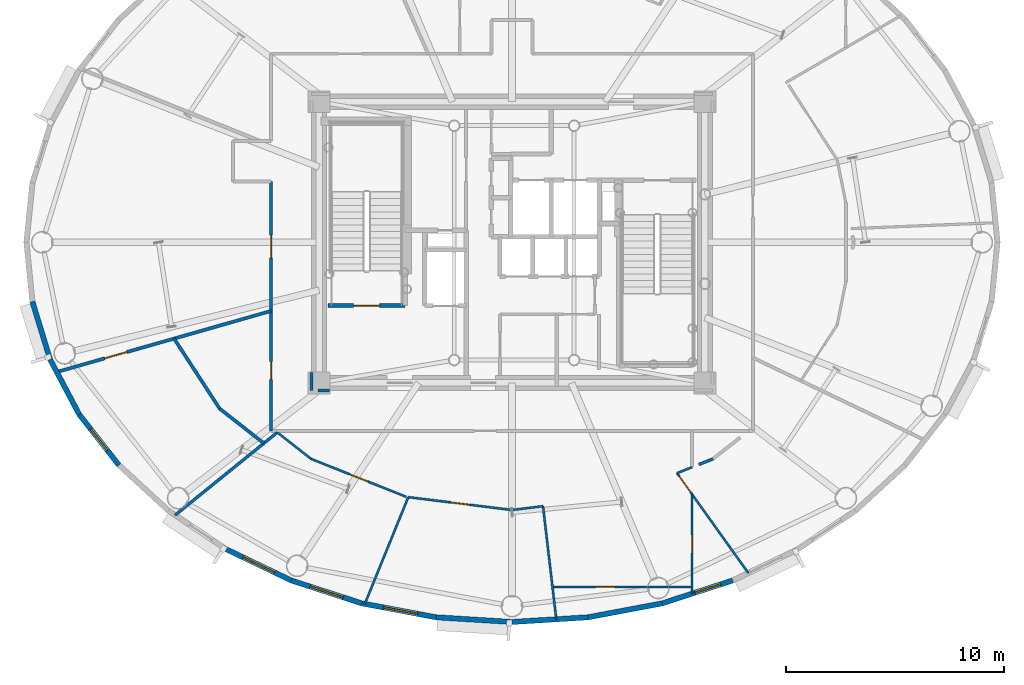
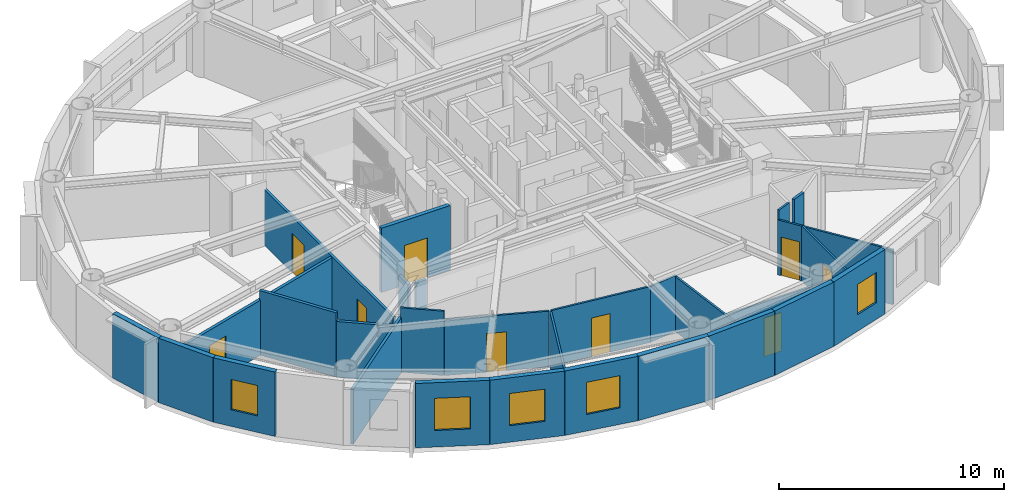
# One storey, part 6 of 17: 29 walls, 9 doors, 5 windows, 14 openings.
"""IFC4 building model written with IfcOpenShell, lengths in metres."""

from ifc_helpers import new_model, si_unit, direction, frame, frame_2d, origin, origin_2d, place, context, subcontext, project, spatial, rectangle, extrude, source, transform, mapped, material, layer, layer_set, type_object, element, fill, save


model = new_model("IFC4")

# Units and contexts
model_context = context("Model", 3, precision=1e-05, world=origin(), true_north=direction((0.0, 1.0)))
body_context = subcontext(model_context, "Body", "Model", "MODEL_VIEW")
ifc_project = project(units=[si_unit("LENGTHUNIT", "METRE"), si_unit("AREAUNIT", "SQUARE_METRE"), si_unit("VOLUMEUNIT", "CUBIC_METRE"), si_unit("PLANEANGLEUNIT", "RADIAN"), si_unit("MASSUNIT", "GRAM", prefix="KILO")], contexts=[model_context])

# Site, building, storey
site_placement = place(None, origin())
site = spatial("IfcSite", under=ifc_project, at=site_placement, CompositionType="ELEMENT")
building_placement = place(site_placement, origin())
building = spatial("IfcBuilding", under=site, at=building_placement, Name="Linh Dai School and Residence Tower", CompositionType="ELEMENT")
storey_placement = place(building_placement, frame((0.0, 0.0, 310.5)))
storey = spatial("IfcBuildingStorey", under=building, at=storey_placement, Name="L77", CompositionType="ELEMENT", Elevation=310.5)

# Walls
ifc_material_1 = material(Name="Precast Concrete B45 (C35/45)", Category="concrete")
ifc_layer_1 = layer(ifc_material_1, 0.239990234375)
ifc_layer_set_1 = layer_set([ifc_layer_1], Name="Precast Concrete B45 (C35/45)")
wall_type_1 = type_object("IfcWallType", Name="EW-TC-240", PredefinedType="SOLIDWALL", material=ifc_layer_set_1)
wall_1_placement = place(storey_placement, frame((14.811767578125, 21.627685546875, 0.0), z_axis=(0.0, 0.0, 1.0), x_axis=(-0.2931213403, 0.956075248012, 0.0)))
element("IfcWall", 1, at=wall_1_placement, inside=storey, type_object=wall_type_1, Name="L77 Terracotta Exterior Wall 22", PredefinedType="SOLIDWALL", context=body_context, shape_type="SweptSolid", body=[
    extrude(rectangle(XDim=2.775146484375, YDim=0.239990234375, at=frame_2d((1.3876953125, 0.0))), origin(), (0.0, 0.0, 1.0), 3.5),
])
wall_2_placement = place(storey_placement, frame((16.146240234375, 19.105224609375, 0.0), z_axis=(0.0, 0.0, 1.0), x_axis=(-0.467628269026, 0.883925224218, 0.0)))
element("IfcWall", 2, at=wall_2_placement, inside=storey, type_object=wall_type_1, Name="L77 Terracotta Exterior Wall 23", PredefinedType="SOLIDWALL", context=body_context, shape_type="SweptSolid", body=[
    extrude(rectangle(XDim=2.853759765625, YDim=0.239990234375, at=frame_2d((1.4267578125, 0.0))), origin(), (0.0, 0.0, 1.0), 3.5),
])

# Wall, opening, window
wall_3_placement = place(storey_placement, frame((17.9697265625, 16.775390625, 0.0), z_axis=(0.0, 0.0, 1.0), x_axis=(-0.616337186556, 0.787482363275, 0.0)))
wall_3 = element("IfcWall", 3, at=wall_3_placement, inside=storey, type_object=wall_type_1, Name="L77 Terracotta Exterior Wall 24", PredefinedType="SOLIDWALL", context=body_context, shape_type="SweptSolid", body=[
    extrude(rectangle(XDim=2.95849609375, YDim=0.239990234375, at=frame_2d((1.479248046875, 0.0))), origin(), (0.0, 0.0, 1.0), 3.5),
])
opening_1_placement = place(wall_3_placement, frame((0.85400390625, 0.0, 0.89990234375)))
opening_1 = element("IfcOpeningElement", 4, at=opening_1_placement, cuts=wall_3, Name="Opening W3", PredefinedType="OPENING", context=body_context, shape_type="SweptSolid", body=[
    extrude(rectangle(XDim=1.25, YDim=1.64990234375, at=origin_2d()), frame((0.625, 0.1298828125, 0.824951171875), z_axis=(0.0, -1.0, 0.0), x_axis=(1.0, 0.0, 0.0)), (0.0, 0.0, 1.0), 0.260009765625),
])
ifc_material_2 = material(Name="Double Low-E Insulated Glazing", Category="glass")
window_type_1 = type_object("IfcWindowType", Name="WN-RES-1250x1650", PartitioningType="SINGLE_PANEL", PredefinedType="WINDOW", material=ifc_material_2)
shared_shape_1 = source(origin(), body_context, "Body", "SweptSolid", [
    extrude(rectangle(XDim=1.25, YDim=1.64990234375, at=origin_2d()), frame((0.625, 0.030029296875, 0.824951171875), z_axis=(0.0, -1.0, 0.0), x_axis=(1.0, 0.0, 0.0)), (0.0, 0.0, 1.0), 0.06005859375),
])
window_1_placement = place(opening_1_placement, origin())
window_1 = element("IfcWindow", 5, at=window_1_placement, inside=storey, type_object=window_type_1, Name="L77 Exterior Window 24.1", OverallHeight=1.64990234375, OverallWidth=1.25, PartitioningType="SINGLE_PANEL", PredefinedType="WINDOW", context=body_context, shape_type="MappedRepresentation", body=[
    mapped(shared_shape_1, transform((0.0, 0.0, 0.0), x_axis=(1.0, 0.0, 0.0), y_axis=(0.0, 1.0, 0.0), z_axis=(0.0, 0.0, 1.0), scale=1.0)),
])
fill(opening_1, window_1)

wall_4_placement = place(storey_placement, frame((25.876953125, 11.48779296875, 0.0), z_axis=(0.0, 0.0, 1.0), x_axis=(-0.901573741254, 0.43262546051, 0.0)))
wall_4 = element("IfcWall", 6, at=wall_4_placement, inside=storey, type_object=wall_type_1, Name="L77 Terracotta Exterior Wall 27", PredefinedType="SOLIDWALL", context=body_context, shape_type="SweptSolid", body=[
    extrude(rectangle(XDim=3.306884765625, YDim=0.239990234375, at=frame_2d((1.6533203125, 0.0))), origin(), (0.0, 0.0, 1.0), 3.5),
])
opening_2_placement = place(wall_4_placement, frame((0.853271484375, 0.0, 0.89990234375)))
opening_2 = element("IfcOpeningElement", 7, at=opening_2_placement, cuts=wall_4, Name="Opening W2", PredefinedType="OPENING", context=body_context, shape_type="SweptSolid", body=[
    extrude(rectangle(XDim=1.60009765625, YDim=1.75, at=origin_2d()), frame((0.800048828125, 0.1298828125, 0.875), z_axis=(0.0, -1.0, 0.0), x_axis=(1.0, 0.0, 0.0)), (0.0, 0.0, 1.0), 0.260009765625),
])
window_type_2 = type_object("IfcWindowType", Name="WN-RES-1600x1750", PartitioningType="DOUBLE_PANEL_VERTICAL", PredefinedType="WINDOW", material=ifc_material_2)
shared_shape_2 = source(origin(), body_context, "Body", "SweptSolid", [
    extrude(rectangle(XDim=1.60009765625, YDim=1.75, at=origin_2d()), frame((0.800048828125, 0.030029296875, 0.875), z_axis=(0.0, -1.0, 0.0), x_axis=(1.0, 0.0, 0.0)), (0.0, 0.0, 1.0), 0.06005859375),
])
window_2_placement = place(opening_2_placement, origin())
window_2 = element("IfcWindow", 8, at=window_2_placement, inside=storey, type_object=window_type_2, Name="L77 Exterior Window 27.1", OverallHeight=1.75, OverallWidth=1.60009765625, PartitioningType="DOUBLE_PANEL_VERTICAL", PredefinedType="WINDOW", context=body_context, shape_type="MappedRepresentation", body=[
    mapped(shared_shape_2, transform((0.0, 0.0, 0.0), x_axis=(1.0, 0.0, 0.0), y_axis=(0.0, 1.0, 0.0), z_axis=(0.0, 0.0, 1.0), scale=1.0)),
])
fill(opening_2, window_2)

wall_5_placement = place(storey_placement, frame((29.10888671875, 10.439697265625, 0.0), z_axis=(0.0, 0.0, 1.0), x_axis=(-0.95123136723, 0.308478339592, 0.0)))
wall_5 = element("IfcWall", 9, at=wall_5_placement, inside=storey, type_object=wall_type_1, Name="L77 Terracotta Exterior Wall 28", PredefinedType="SOLIDWALL", context=body_context, shape_type="SweptSolid", body=[
    extrude(rectangle(XDim=3.397705078125, YDim=0.239990234375, at=frame_2d((1.69873046875, 0.0))), origin(), (0.0, 0.0, 1.0), 3.5),
])
opening_3_placement = place(wall_5_placement, frame((0.898681640625, 0.0, 0.89990234375)))
opening_3 = element("IfcOpeningElement", 10, at=opening_3_placement, cuts=wall_5, Name="Opening W2", PredefinedType="OPENING", context=body_context, shape_type="SweptSolid", body=[
    extrude(rectangle(XDim=1.60009765625, YDim=1.75, at=origin_2d()), frame((0.800048828125, 0.1298828125, 0.875), z_axis=(0.0, -1.0, 0.0), x_axis=(1.0, 0.0, 0.0)), (0.0, 0.0, 1.0), 0.260009765625),
])
window_3_placement = place(opening_3_placement, origin())
window_3 = element("IfcWindow", 11, at=window_3_placement, inside=storey, type_object=window_type_2, Name="L77 Exterior Window 28.1", OverallHeight=1.75, OverallWidth=1.60009765625, PartitioningType="DOUBLE_PANEL_VERTICAL", PredefinedType="WINDOW", context=body_context, shape_type="MappedRepresentation", body=[
    mapped(shared_shape_2, transform((0.0, 0.0, 0.0), x_axis=(1.0, 0.0, 0.0), y_axis=(0.0, 1.0, 0.0), z_axis=(0.0, 0.0, 1.0), scale=1.0)),
])
fill(opening_3, window_3)

wall_6_placement = place(storey_placement, frame((32.51123046875, 9.800048828125, 0.0), z_axis=(0.0, 0.0, 1.0), x_axis=(-0.982782655757, 0.184765395959, 0.0)))
wall_6 = element("IfcWall", 12, at=wall_6_placement, inside=storey, type_object=wall_type_1, Name="L77 Terracotta Exterior Wall 29", PredefinedType="SOLIDWALL", context=body_context, shape_type="SweptSolid", body=[
    extrude(rectangle(XDim=3.4619140625, YDim=0.239990234375, at=frame_2d((1.73095703125, 0.0))), origin(), (0.0, 0.0, 1.0), 3.5),
])
opening_4_placement = place(wall_6_placement, frame((0.851318359375, 0.0, 0.89990234375)))
opening_4 = element("IfcOpeningElement", 13, at=opening_4_placement, cuts=wall_6, Name="Opening W2", PredefinedType="OPENING", context=body_context, shape_type="SweptSolid", body=[
    extrude(rectangle(XDim=1.60009765625, YDim=1.75, at=origin_2d()), frame((0.800048828125, 0.1298828125, 0.875), z_axis=(0.0, -1.0, 0.0), x_axis=(1.0, 0.0, 0.0)), (0.0, 0.0, 1.0), 0.260009765625),
])
window_4_placement = place(opening_4_placement, origin())
window_4 = element("IfcWindow", 14, at=window_4_placement, inside=storey, type_object=window_type_2, Name="L77 Exterior Window 29.1", OverallHeight=1.75, OverallWidth=1.60009765625, PartitioningType="DOUBLE_PANEL_VERTICAL", PredefinedType="WINDOW", context=body_context, shape_type="MappedRepresentation", body=[
    mapped(shared_shape_2, transform((0.0, 0.0, 0.0), x_axis=(1.0, 0.0, 0.0), y_axis=(0.0, 1.0, 0.0), z_axis=(0.0, 0.0, 1.0), scale=1.0)),
])
fill(opening_4, window_4)

# Walls
for number, where, z_axis, x_axis, name in (
    (15, (36.0, 9.5849609375, 0.0), (0.0, 0.0, 1.0), (-0.998104946479, 0.061534671648, 0.0), "L77 Terracotta Exterior Wall 30"),
    (16, (39.48876953125, 9.800048828125, 0.0), (0.0, 0.0, 1.0), (-0.998104946479, -0.061534671648, 0.0), "L77 Terracotta Exterior Wall 31"),
):
    element("IfcWall", number, at=place(storey_placement, frame(where, z_axis=z_axis, x_axis=x_axis)), inside=storey, type_object=wall_type_1, Name=name, PredefinedType="SOLIDWALL", context=body_context, shape_type="SweptSolid", body=[
        extrude(rectangle(XDim=3.495361328125, YDim=0.239990234375, at=frame_2d((1.74755859375, 0.0))), origin(), (0.0, 0.0, 1.0), 3.5),
    ])
wall_7_placement = place(storey_placement, frame((42.89111328125, 10.439697265625, 0.0), z_axis=(0.0, 0.0, 1.0), x_axis=(-0.982782655757, -0.184765395959, 0.0)))
element("IfcWall", 17, at=wall_7_placement, inside=storey, type_object=wall_type_1, Name="L77 Terracotta Exterior Wall 32", PredefinedType="SOLIDWALL", context=body_context, shape_type="SweptSolid", body=[
    extrude(rectangle(XDim=3.4619140625, YDim=0.239990234375, at=frame_2d((1.73095703125, 0.0))), origin(), (0.0, 0.0, 1.0), 3.5),
])

# Wall, opening, window
wall_8_placement = place(storey_placement, frame((46.123046875, 11.48779296875, 0.0), z_axis=(0.0, 0.0, 1.0), x_axis=(-0.95123136723, -0.308478339592, 0.0)))
wall_8 = element("IfcWall", 18, at=wall_8_placement, inside=storey, type_object=wall_type_1, Name="L77 Terracotta Exterior Wall 33", PredefinedType="SOLIDWALL", context=body_context, shape_type="SweptSolid", body=[
    extrude(rectangle(XDim=3.397705078125, YDim=0.239990234375, at=frame_2d((1.69873046875, 0.0))), origin(), (0.0, 0.0, 1.0), 3.5),
])
opening_5_placement = place(wall_8_placement, frame((0.5771484375, 0.0, 0.89990234375)))
opening_5 = element("IfcOpeningElement", 19, at=opening_5_placement, cuts=wall_8, Name="Opening W3", PredefinedType="OPENING", context=body_context, shape_type="SweptSolid", body=[
    extrude(rectangle(XDim=1.25, YDim=1.64990234375, at=origin_2d()), frame((0.625, 0.1298828125, 0.824951171875), z_axis=(0.0, -1.0, 0.0), x_axis=(1.0, 0.0, 0.0)), (0.0, 0.0, 1.0), 0.260009765625),
])
window_5_placement = place(opening_5_placement, origin())
window_5 = element("IfcWindow", 20, at=window_5_placement, inside=storey, type_object=window_type_1, Name="L77 Dwelling Window U7701-LIV", OverallHeight=1.64990234375, OverallWidth=1.25, PartitioningType="SINGLE_PANEL", PredefinedType="WINDOW", context=body_context, shape_type="MappedRepresentation", body=[
    mapped(shared_shape_1, transform((0.0, 0.0, 0.0), x_axis=(1.0, 0.0, 0.0), y_axis=(0.0, 1.0, 0.0), z_axis=(0.0, 0.0, 1.0), scale=1.0)),
])
fill(opening_5, window_5)

# Wall
ifc_material_3 = material(Name="Autoclaved Aerated Concrete Blockwork", Category="masonry")
ifc_layer_2 = layer(ifc_material_3, 0.135009765625)
ifc_layer_set_2 = layer_set([ifc_layer_2], Name="Autoclaved Aerated Concrete Blockwork")
wall_type_2 = type_object("IfcWallType", Name="IW-CORR-135-EI90", PredefinedType="PARTITIONING", material=ifc_layer_set_2)
wall_9_placement = place(storey_placement, frame((20.544677734375, 14.484619140625, 0.0), z_axis=(0.0, 0.0, 1.0), x_axis=(0.77715155867, 0.629313479004, 0.0)))
element("IfcWall", 21, at=wall_9_placement, inside=storey, type_object=wall_type_2, Name="L77 Interior Partition Wall 004", PredefinedType="PARTITIONING", context=body_context, shape_type="SweptSolid", body=[
    extrude(rectangle(XDim=6.032470703125, YDim=0.135009765625, at=frame_2d((3.01611328125, 0.0))), origin(), (0.0, 0.0, 1.0), 2.985107421875),
])

# Wall, openings, doors
wall_10_placement = place(storey_placement, frame((24.949951171875, 18.35009765625, 0.0), z_axis=(0.0, 0.0, 1.0), x_axis=(0.0, 1.0, 0.0)))
wall_10 = element("IfcWall", 22, at=wall_10_placement, inside=storey, type_object=wall_type_2, Name="L77 Interior Partition Wall 009", PredefinedType="PARTITIONING", context=body_context, shape_type="SweptSolid", body=[
    extrude(rectangle(XDim=11.449951171875, YDim=0.135009765625, at=frame_2d((5.72509765625, 0.0))), origin(), (0.0, 0.0, 1.0), 3.034912109375),
])
opening_6_placement = place(wall_10_placement, frame((7.93115234375, 0.0, 0.0)))
opening_6 = element("IfcOpeningElement", 23, at=opening_6_placement, cuts=wall_10, Name="Opening D04", PredefinedType="OPENING", context=body_context, shape_type="SweptSolid", body=[
    extrude(rectangle(XDim=1.050048828125, YDim=2.14990234375, at=origin_2d()), frame((0.52490234375, 0.07763671875, 1.074951171875), z_axis=(0.0, -1.0, 0.0), x_axis=(1.0, 0.0, 0.0)), (0.0, 0.0, 1.0), 0.155029296875),
])
opening_7_placement = place(wall_10_placement, frame((2.361083984375, 0.0, 0.0)))
opening_7 = element("IfcOpeningElement", 24, at=opening_7_placement, cuts=wall_10, Name="Opening D06", PredefinedType="OPENING", context=body_context, shape_type="SweptSolid", body=[
    extrude(rectangle(XDim=0.820068359375, YDim=2.10009765625, at=origin_2d()), frame((0.41015625, 0.07763671875, 1.050048828125), z_axis=(0.0, -1.0, 0.0), x_axis=(1.0, 0.0, 0.0)), (0.0, 0.0, 1.0), 0.155029296875),
])
ifc_material_4 = material(Name="Acoustic Vision-Panel Timber Classroom Door", Category="wood")
door_type_1 = type_object("IfcDoorType", Name="DR-SCH-1050x2150-FD60S", OperationType="NOTDEFINED", PredefinedType="DOOR", material=ifc_material_4)
shared_shape_3 = source(origin(), body_context, "Body", "SweptSolid", [
    extrude(rectangle(XDim=1.050048828125, YDim=2.14990234375, at=origin_2d()), frame((0.52490234375, 0.02490234375, 1.074951171875), z_axis=(0.0, -1.0, 0.0), x_axis=(1.0, 0.0, 0.0)), (0.0, 0.0, 1.0), 0.050048828125),
])
door_1_placement = place(opening_6_placement, origin())
door_1 = element("IfcDoor", 25, at=door_1_placement, inside=storey, type_object=door_type_1, Name="L77 High-Zone Resident Gallery Reading Room Door", OperationType="SINGLE_SWING_LEFT", OverallHeight=2.14990234375, OverallWidth=1.050048828125, PredefinedType="DOOR", context=body_context, shape_type="MappedRepresentation", body=[
    mapped(shared_shape_3, transform((0.0, 0.0, 0.0), x_axis=(1.0, 0.0, 0.0), y_axis=(0.0, 1.0, 0.0), z_axis=(0.0, 0.0, 1.0), scale=1.0)),
])
fill(opening_6, door_1)
ifc_material_5 = material(Name="Moisture-Resistant Timber Bathroom Door", Category="wood")
door_type_2 = type_object("IfcDoorType", Name="DR-WET-820x2100", OperationType="NOTDEFINED", PredefinedType="DOOR", material=ifc_material_5)
shared_shape_4 = source(origin(), body_context, "Body", "SweptSolid", [
    extrude(rectangle(XDim=0.820068359375, YDim=2.10009765625, at=origin_2d()), frame((0.41015625, 0.02490234375, 1.050048828125), z_axis=(0.0, -1.0, 0.0), x_axis=(1.0, 0.0, 0.0)), (0.0, 0.0, 1.0), 0.050048828125),
])
door_2_placement = place(opening_7_placement, origin())
door_2 = element("IfcDoor", 26, at=door_2_placement, inside=storey, type_object=door_type_2, Name="L77 Amenity Accessible WC Door", OperationType="SINGLE_SWING_RIGHT", OverallHeight=2.10009765625, OverallWidth=0.820068359375, PredefinedType="DOOR", context=body_context, shape_type="MappedRepresentation", body=[
    mapped(shared_shape_4, transform((0.0, 0.0, 0.0), x_axis=(1.0, 0.0, 0.0), y_axis=(0.0, 1.0, 0.0), z_axis=(0.0, 0.0, 1.0), scale=1.0)),
])
fill(opening_7, door_2)

# Walls
wall_11_placement = place(storey_placement, frame((26.800048828125, 21.0400390625, 0.0), z_axis=(0.0, 0.0, 1.0), x_axis=(0.0, -1.0, 0.0)))
element("IfcWall", 27, at=wall_11_placement, inside=storey, type_object=wall_type_2, Name="L77 Interior Partition Wall 082", PredefinedType="PARTITIONING", context=body_context, shape_type="SweptSolid", body=[
    extrude(rectangle(XDim=0.840087890625, YDim=0.135009765625, at=frame_2d((0.419921875, 0.0))), origin(), (0.0, 0.0, 1.0), 3.034912109375),
])
wall_12_placement = place(storey_placement, frame((27.107421875, 20.199951171875, 0.0), z_axis=(0.0, 0.0, 1.0), x_axis=(1.0, 0.0, 0.0)))
element("IfcWall", 28, at=wall_12_placement, inside=storey, type_object=wall_type_2, Name="L77 Interior Partition Wall 083", PredefinedType="PARTITIONING", context=body_context, shape_type="SweptSolid", body=[
    extrude(rectangle(XDim=0.532470703125, YDim=0.135009765625, at=frame_2d((0.26611328125, 0.0))), origin(), (0.0, 0.0, 1.0), 3.034912109375),
])
wall_13_placement = place(storey_placement, frame((44.56787109375, 16.80810546875, 0.0), z_axis=(0.0, 0.0, 1.0), x_axis=(0.928813825631, 0.370546727576, 0.0)))
element("IfcWall", 29, at=wall_13_placement, inside=storey, type_object=wall_type_2, Name="L77 Interior Partition Wall 088", PredefinedType="PARTITIONING", context=body_context, shape_type="SweptSolid", body=[
    extrude(rectangle(XDim=0.698486328125, YDim=0.135009765625, at=frame_2d((0.34912109375, 0.0))), origin(), (0.0, 0.0, 1.0), 3.5),
])

# Wall, opening, door
ifc_layer_3 = layer(ifc_material_3, 0.14990234375)
ifc_layer_set_3 = layer_set([ifc_layer_3], Name="Autoclaved Aerated Concrete Blockwork")
wall_type_3 = type_object("IfcWallType", Name="IW-SCH-150-EI60", PredefinedType="PARTITIONING", material=ifc_layer_set_3)
wall_14_placement = place(storey_placement, frame((15.11181640625, 21.0498046875, 0.0), z_axis=(0.0, 0.0, 1.0), x_axis=(0.961740695875, 0.273961373004, 0.0)))
wall_14 = element("IfcWall", 30, at=wall_14_placement, inside=storey, type_object=wall_type_3, Name="L77 Interior Partition Wall 001", PredefinedType="PARTITIONING", context=body_context, shape_type="SweptSolid", body=[
    extrude(rectangle(XDim=10.2294921875, YDim=0.14990234375, at=frame_2d((5.11474609375, 0.0))), origin(), (0.0, 0.0, 1.0), 2.985107421875),
])
opening_8_placement = place(wall_14_placement, frame((2.29541015625, 0.0, 0.0)))
opening_8 = element("IfcOpeningElement", 31, at=opening_8_placement, cuts=wall_14, Name="Opening D04", PredefinedType="OPENING", context=body_context, shape_type="SweptSolid", body=[
    extrude(rectangle(XDim=1.050048828125, YDim=2.14990234375, at=origin_2d()), frame((0.52490234375, 0.0849609375, 1.074951171875), z_axis=(0.0, -1.0, 0.0), x_axis=(1.0, 0.0, 0.0)), (0.0, 0.0, 1.0), 0.169921875),
])
door_3_placement = place(opening_8_placement, origin())
door_3 = element("IfcDoor", 32, at=door_3_placement, inside=storey, type_object=door_type_1, Name="L77 Amenity Tea Salon Door", OperationType="SINGLE_SWING_LEFT", OverallHeight=2.14990234375, OverallWidth=1.050048828125, PredefinedType="DOOR", context=body_context, shape_type="MappedRepresentation", body=[
    mapped(shared_shape_3, transform((0.0, 0.0, 0.0), x_axis=(1.0, 0.0, 0.0), y_axis=(0.0, 1.0, 0.0), z_axis=(0.0, 0.0, 1.0), scale=1.0)),
])
fill(opening_8, door_3)

# Walls
wall_15_placement = place(storey_placement, frame((20.498779296875, 22.584228515625, 0.0), z_axis=(0.0, 0.0, 1.0), x_axis=(0.545422512832, -0.838161250892, 0.0)))
element("IfcWall", 33, at=wall_15_placement, inside=storey, type_object=wall_type_3, Name="L77 Interior Partition Wall 003", PredefinedType="PARTITIONING", context=body_context, shape_type="SweptSolid", body=[
    extrude(rectangle(XDim=3.833740234375, YDim=0.14990234375, at=frame_2d((1.9169921875, 0.0))), origin(), (0.0, 0.0, 1.0), 3.5),
])
wall_16_placement = place(storey_placement, frame((22.58984375, 19.370849609375, 0.0), z_axis=(0.0, 0.0, 1.0), x_axis=(0.78729093539, -0.616581692116, 0.0)))
element("IfcWall", 34, at=wall_16_placement, inside=storey, type_object=wall_type_3, Name="L77 Interior Partition Wall 005", PredefinedType="PARTITIONING", context=body_context, shape_type="SweptSolid", body=[
    extrude(rectangle(XDim=2.57568359375, YDim=0.14990234375, at=frame_2d((1.287841796875, 0.0))), origin(), (0.0, 0.0, 1.0), 3.034912109375),
])

# Wall, opening, door
ifc_material_6 = material(Name="Concrete B45 (C35/45)", Category="concrete")
ifc_layer_4 = layer(ifc_material_6, 0.199951171875)
ifc_layer_set_4 = layer_set([ifc_layer_4], Name="Concrete B45 (C35/45)")
wall_type_4 = type_object("IfcWallType", Name="IW-SHAFT-200-EI120", PredefinedType="PARTITIONING", material=ifc_layer_set_4)
wall_17_placement = place(storey_placement, frame((27.56005859375, 24.10009765625, 0.0), z_axis=(0.0, 0.0, 1.0), x_axis=(1.0, 0.0, 0.0)))
wall_17 = element("IfcWall", 35, at=wall_17_placement, inside=storey, type_object=wall_type_4, Name="L77 Interior Partition Wall 015", PredefinedType="PARTITIONING", context=body_context, shape_type="SweptSolid", body=[
    extrude(rectangle(XDim=3.5400390625, YDim=0.199951171875, at=frame_2d((1.77001953125, 0.0))), origin(), (0.0, 0.0, 1.0), 3.5),
])
opening_9_placement = place(wall_17_placement, frame((1.169921875, 0.0, 0.0)))
opening_9 = element("IfcOpeningElement", 36, at=opening_9_placement, cuts=wall_17, Name="Opening D01", PredefinedType="OPENING", context=body_context, shape_type="SweptSolid", body=[
    extrude(rectangle(XDim=1.199951171875, YDim=2.14990234375, at=origin_2d()), frame((0.60009765625, 0.10986328125, 1.074951171875), z_axis=(0.0, -1.0, 0.0), x_axis=(1.0, 0.0, 0.0)), (0.0, 0.0, 1.0), 0.219970703125),
])
ifc_material_7 = material(Name="Fire-Rated Steel Door Leaf", Category="steel")
door_type_3 = type_object("IfcDoorType", Name="DR-STAIR-1200x2150-FD90S", OperationType="NOTDEFINED", PredefinedType="DOOR", material=ifc_material_7)
shared_shape_5 = source(origin(), body_context, "Body", "SweptSolid", [
    extrude(rectangle(XDim=1.199951171875, YDim=2.14990234375, at=origin_2d()), frame((0.60009765625, 0.02490234375, 1.074951171875), z_axis=(0.0, -1.0, 0.0), x_axis=(1.0, 0.0, 0.0)), (0.0, 0.0, 1.0), 0.050048828125),
])
door_4_placement = place(opening_9_placement, origin())
door_4 = element("IfcDoor", 37, at=door_4_placement, inside=storey, type_object=door_type_3, Name="L77 Core Smokeproof Exit Stair ST1 Door", OperationType="SINGLE_SWING_RIGHT", OverallHeight=2.14990234375, OverallWidth=1.199951171875, PredefinedType="DOOR", context=body_context, shape_type="MappedRepresentation", body=[
    mapped(shared_shape_5, transform((0.0, 0.0, 0.0), x_axis=(1.0, 0.0, 0.0), y_axis=(0.0, 1.0, 0.0), z_axis=(0.0, 0.0, 1.0), scale=1.0)),
])
fill(opening_9, door_4)

# Wall
ifc_material_8 = material(Name="Gypsum Plasterboard Acoustic Stud Partition", Category="masonry")
ifc_layer_5 = layer(ifc_material_8, 0.10009765625)
ifc_layer_set_5 = layer_set([ifc_layer_5], Name="Gypsum Plasterboard Acoustic Stud Partition")
wall_type_5 = type_object("IfcWallType", Name="IW-UNIT-100", PredefinedType="PARTITIONING", material=ifc_layer_set_5)
wall_18_placement = place(storey_placement, frame((25.23291015625, 18.281005859375, 0.0), z_axis=(0.0, 0.0, 1.0), x_axis=(0.787345395334, -0.61651214785, 0.0)))
element("IfcWall", 38, at=wall_18_placement, inside=storey, type_object=wall_type_5, Name="L77 Interior Partition Wall 013", PredefinedType="PARTITIONING", context=body_context, shape_type="SweptSolid", body=[
    extrude(rectangle(XDim=1.96923828125, YDim=0.10009765625, at=frame_2d((0.984619140625, 0.0))), origin(), (0.0, 0.0, 1.0), 3.5),
])

# Wall, opening, door
wall_19_placement = place(storey_placement, frame((26.783447265625, 17.06689453125, 0.0), z_axis=(0.0, 0.0, 1.0), x_axis=(0.928809047774, -0.370558703544, 0.0)))
wall_19 = element("IfcWall", 39, at=wall_19_placement, inside=storey, type_object=wall_type_5, Name="L77 Interior Partition Wall 014", PredefinedType="PARTITIONING", context=body_context, shape_type="SweptSolid", body=[
    extrude(rectangle(XDim=4.7060546875, YDim=0.10009765625, at=frame_2d((2.35302734375, 0.0))), origin(), (0.0, 0.0, 1.0), 3.034912109375),
])
opening_10_placement = place(wall_19_placement, frame((1.903076171875, 0.0, 0.0)))
opening_10 = element("IfcOpeningElement", 40, at=opening_10_placement, cuts=wall_19, Name="Opening D05", PredefinedType="OPENING", context=body_context, shape_type="SweptSolid", body=[
    extrude(rectangle(XDim=0.89990234375, YDim=2.10009765625, at=origin_2d()), frame((0.449951171875, 0.06005859375, 1.050048828125), z_axis=(0.0, -1.0, 0.0), x_axis=(1.0, 0.0, 0.0)), (0.0, 0.0, 1.0), 0.1201171875),
])
ifc_material_9 = material(Name="Engineered Timber Internal Door", Category="wood")
door_type_4 = type_object("IfcDoorType", Name="DR-INT-900x2100", OperationType="NOTDEFINED", PredefinedType="DOOR", material=ifc_material_9)
shared_shape_6 = source(origin(), body_context, "Body", "SweptSolid", [
    extrude(rectangle(XDim=0.89990234375, YDim=2.10009765625, at=origin_2d()), frame((0.449951171875, 0.02490234375, 1.050048828125), z_axis=(0.0, -1.0, 0.0), x_axis=(1.0, 0.0, 0.0)), (0.0, 0.0, 1.0), 0.050048828125),
])
door_5_placement = place(opening_10_placement, origin())
door_5 = element("IfcDoor", 41, at=door_5_placement, inside=storey, type_object=door_type_4, Name="L77 Apartment U7701 Principal Bedroom 1 Door", OperationType="SINGLE_SWING_LEFT", OverallHeight=2.10009765625, OverallWidth=0.89990234375, PredefinedType="DOOR", context=body_context, shape_type="MappedRepresentation", body=[
    mapped(shared_shape_6, transform((0.0, 0.0, 0.0), x_axis=(1.0, 0.0, 0.0), y_axis=(0.0, 1.0, 0.0), z_axis=(0.0, 0.0, 1.0), scale=1.0)),
])
fill(opening_10, door_5)

# Wall
wall_20_placement = place(storey_placement, frame((29.246337890625, 10.40869140625, 0.0), z_axis=(0.0, 0.0, 1.0), x_axis=(0.377005355791, 0.926211078375, 0.0)))
element("IfcWall", 42, at=wall_20_placement, inside=storey, type_object=wall_type_5, Name="L77 Interior Partition Wall 017", PredefinedType="PARTITIONING", context=body_context, shape_type="SweptSolid", body=[
    extrude(rectangle(XDim=5.2939453125, YDim=0.10009765625, at=frame_2d((2.64697265625, 0.0))), origin(), (0.0, 0.0, 1.0), 2.985107421875),
])

# Wall, opening, door
wall_21_placement = place(storey_placement, frame((31.2421875, 15.31201171875, 0.0), z_axis=(0.0, 0.0, 1.0), x_axis=(0.992396501967, -0.123082016895, 0.0)))
wall_21 = element("IfcWall", 43, at=wall_21_placement, inside=storey, type_object=wall_type_5, Name="L77 Interior Partition Wall 022", PredefinedType="PARTITIONING", context=body_context, shape_type="SweptSolid", body=[
    extrude(rectangle(XDim=4.794189453125, YDim=0.10009765625, at=frame_2d((2.39697265625, 0.0))), origin(), (0.0, 0.0, 1.0), 3.034912109375),
])
opening_11_placement = place(wall_21_placement, frame((1.947021484375, 0.0, 0.0)))
opening_11 = element("IfcOpeningElement", 44, at=opening_11_placement, cuts=wall_21, Name="Opening D05", PredefinedType="OPENING", context=body_context, shape_type="SweptSolid", body=[
    extrude(rectangle(XDim=0.89990234375, YDim=2.10009765625, at=origin_2d()), frame((0.449951171875, 0.06005859375, 1.050048828125), z_axis=(0.0, -1.0, 0.0), x_axis=(1.0, 0.0, 0.0)), (0.0, 0.0, 1.0), 0.1201171875),
])
door_6_placement = place(opening_11_placement, origin())
door_6 = element("IfcDoor", 45, at=door_6_placement, inside=storey, type_object=door_type_4, Name="L77 Apartment U7701 Principal Bedroom 2 Door", OperationType="SINGLE_SWING_RIGHT", OverallHeight=2.10009765625, OverallWidth=0.89990234375, PredefinedType="DOOR", context=body_context, shape_type="MappedRepresentation", body=[
    mapped(shared_shape_6, transform((0.0, 0.0, 0.0), x_axis=(1.0, 0.0, 0.0), y_axis=(0.0, 1.0, 0.0), z_axis=(0.0, 0.0, 1.0), scale=1.0)),
])
fill(opening_11, door_6)

# Walls
wall_22_placement = place(storey_placement, frame((36.0, 14.721923828125, 0.0), z_axis=(0.0, 0.0, 1.0), x_axis=(0.992382380787, 0.123195820967, 0.0)))
element("IfcWall", 46, at=wall_22_placement, inside=storey, type_object=wall_type_5, Name="L77 Interior Partition Wall 044", PredefinedType="PARTITIONING", context=body_context, shape_type="SweptSolid", body=[
    extrude(rectangle(XDim=1.432861328125, YDim=0.10009765625, at=frame_2d((0.71630859375, 0.0))), origin(), (0.0, 0.0, 1.0), 3.034912109375),
])
wall_23_placement = place(storey_placement, frame((37.421875, 14.8984375, 0.0), z_axis=(0.0, 0.0, 1.0), x_axis=(0.116676001677, -0.993170031079, 0.0)))
element("IfcWall", 47, at=wall_23_placement, inside=storey, type_object=wall_type_5, Name="L77 Interior Partition Wall 050", PredefinedType="PARTITIONING", context=body_context, shape_type="SweptSolid", body=[
    extrude(rectangle(XDim=5.22900390625, YDim=0.10009765625, at=frame_2d((2.614501953125, 0.0))), origin(), (0.0, 0.0, 1.0), 2.985107421875),
])

# Wall, opening, door
wall_24_placement = place(storey_placement, frame((37.856689453125, 11.19677734375, 0.0), z_axis=(0.0, 0.0, 1.0), x_axis=(1.0, 0.0, 0.0)))
wall_24 = element("IfcWall", 48, at=wall_24_placement, inside=storey, type_object=wall_type_5, Name="L77 Interior Partition Wall 053", PredefinedType="PARTITIONING", context=body_context, shape_type="SweptSolid", body=[
    extrude(rectangle(XDim=6.40380859375, YDim=0.10009765625, at=frame_2d((3.201904296875, 0.0))), origin(), (0.0, 0.0, 1.0), 2.985107421875),
])
opening_12_placement = place(wall_24_placement, frame((1.96240234375, 0.0, 0.0)))
opening_12 = element("IfcOpeningElement", 49, at=opening_12_placement, cuts=wall_24, Name="Opening D05", PredefinedType="OPENING", context=body_context, shape_type="SweptSolid", body=[
    extrude(rectangle(XDim=0.89990234375, YDim=2.10009765625, at=origin_2d()), frame((0.449951171875, 0.06005859375, 1.050048828125), z_axis=(0.0, -1.0, 0.0), x_axis=(1.0, 0.0, 0.0)), (0.0, 0.0, 1.0), 0.1201171875),
])
door_7_placement = place(opening_12_placement, origin())
door_7 = element("IfcDoor", 50, at=door_7_placement, inside=storey, type_object=door_type_4, Name="L77 Apartment U7701 Kitchen Door", OperationType="SINGLE_SWING_LEFT", OverallHeight=2.10009765625, OverallWidth=0.89990234375, PredefinedType="DOOR", context=body_context, shape_type="MappedRepresentation", body=[
    mapped(shared_shape_6, transform((0.0, 0.0, 0.0), x_axis=(1.0, 0.0, 0.0), y_axis=(0.0, 1.0, 0.0), z_axis=(0.0, 0.0, 1.0), scale=1.0)),
])
fill(opening_12, door_7)

# Wall
wall_25_placement = place(storey_placement, frame((43.568359375, 16.409423828125, 0.0), z_axis=(0.0, 0.0, 1.0), x_axis=(0.928815226083, 0.370543217178, 0.0)))
element("IfcWall", 51, at=wall_25_placement, inside=storey, type_object=wall_type_5, Name="L77 Interior Partition Wall 063", PredefinedType="PARTITIONING", context=body_context, shape_type="SweptSolid", body=[
    extrude(rectangle(XDim=0.7451171875, YDim=0.10009765625, at=frame_2d((0.37255859375, 0.0))), origin(), (0.0, 0.0, 1.0), 3.5),
])

# Wall, opening, door
wall_26_placement = place(storey_placement, frame((43.568359375, 16.409423828125, 0.0), z_axis=(0.0, 0.0, 1.0), x_axis=(0.581447306737, -0.81358406418, 0.0)))
wall_26 = element("IfcWall", 52, at=wall_26_placement, inside=storey, type_object=wall_type_5, Name="L77 Interior Partition Wall 064", PredefinedType="PARTITIONING", context=body_context, shape_type="SweptSolid", body=[
    extrude(rectangle(XDim=5.6318359375, YDim=0.10009765625, at=frame_2d((2.81591796875, 0.0))), origin(), (0.0, 0.0, 1.0), 2.985107421875),
])
opening_13_placement = place(wall_26_placement, frame((0.1650390625, 0.0, 0.0)))
opening_13 = element("IfcOpeningElement", 53, at=opening_13_placement, cuts=wall_26, Name="Opening D05", PredefinedType="OPENING", context=body_context, shape_type="SweptSolid", body=[
    extrude(rectangle(XDim=0.89990234375, YDim=2.10009765625, at=origin_2d()), frame((0.449951171875, 0.06005859375, 1.050048828125), z_axis=(0.0, -1.0, 0.0), x_axis=(1.0, 0.0, 0.0)), (0.0, 0.0, 1.0), 0.1201171875),
])
door_8_placement = place(opening_13_placement, origin())
door_8 = element("IfcDoor", 54, at=door_8_placement, inside=storey, type_object=door_type_4, Name="L77 Apartment U7701 Principal Bedroom 3 Door", OperationType="SINGLE_SWING_LEFT", OverallHeight=2.10009765625, OverallWidth=0.89990234375, PredefinedType="DOOR", context=body_context, shape_type="MappedRepresentation", body=[
    mapped(shared_shape_6, transform((0.0, 0.0, 0.0), x_axis=(1.0, 0.0, 0.0), y_axis=(0.0, 1.0, 0.0), z_axis=(0.0, 0.0, 1.0), scale=1.0)),
])
fill(opening_13, door_8)

wall_27_placement = place(storey_placement, frame((44.260498046875, 10.87841796875, 0.0), z_axis=(0.0, 0.0, 1.0), x_axis=(0.0, 1.0, 0.0)))
wall_27 = element("IfcWall", 55, at=wall_27_placement, inside=storey, type_object=wall_type_5, Name="L77 Interior Partition Wall 065", PredefinedType="PARTITIONING", context=body_context, shape_type="SweptSolid", body=[
    extrude(rectangle(XDim=4.562744140625, YDim=0.10009765625, at=frame_2d((2.28125, 0.0))), origin(), (0.0, 0.0, 1.0), 2.985107421875),
])
opening_14_placement = place(wall_27_placement, frame((1.871337890625, 0.0, 0.0)))
opening_14 = element("IfcOpeningElement", 56, at=opening_14_placement, cuts=wall_27, Name="Opening D06", PredefinedType="OPENING", context=body_context, shape_type="SweptSolid", body=[
    extrude(rectangle(XDim=0.820068359375, YDim=2.10009765625, at=origin_2d()), frame((0.41015625, 0.06005859375, 1.050048828125), z_axis=(0.0, -1.0, 0.0), x_axis=(1.0, 0.0, 0.0)), (0.0, 0.0, 1.0), 0.1201171875),
])
door_9_placement = place(opening_14_placement, origin())
door_9 = element("IfcDoor", 57, at=door_9_placement, inside=storey, type_object=door_type_2, Name="L77 Apartment U7701 Bathroom 1 Door", OperationType="SINGLE_SWING_RIGHT", OverallHeight=2.10009765625, OverallWidth=0.820068359375, PredefinedType="DOOR", context=body_context, shape_type="MappedRepresentation", body=[
    mapped(shared_shape_4, transform((0.0, 0.0, 0.0), x_axis=(1.0, 0.0, 0.0), y_axis=(0.0, 1.0, 0.0), z_axis=(0.0, 0.0, 1.0), scale=1.0)),
])
fill(opening_14, door_9)

save(model, "model.ifc")
